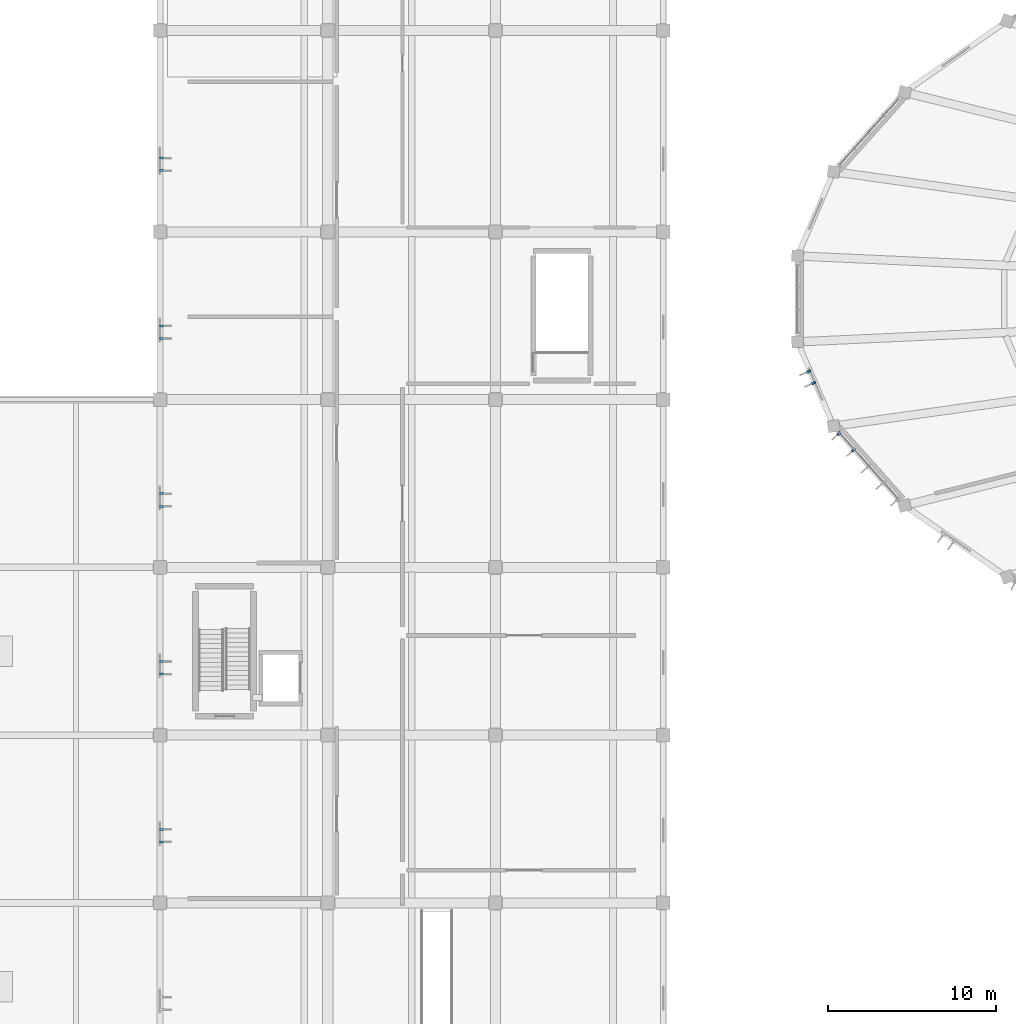
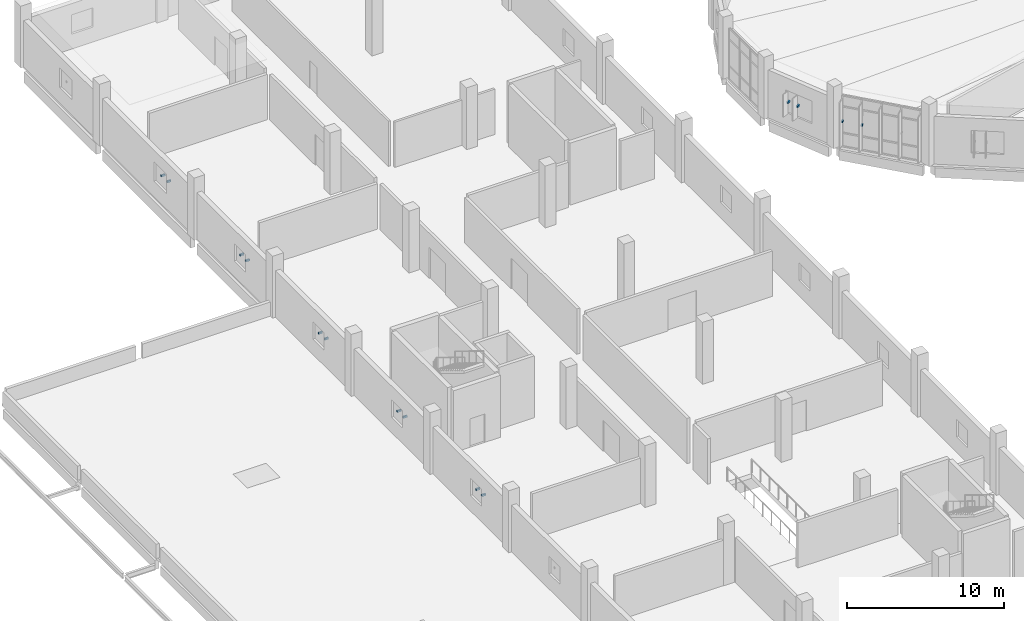
# One storey, part 138 of 179: 14 discrete accessories.
"""IFC4 building model written with IfcOpenShell, lengths in metres."""

from ifc_helpers import new_model, si_unit, direction, frame, origin, origin_2d, place, context, subcontext, project, spatial, rectangle, extrude, material, type_object, element, save


model = new_model("IFC4")

# Units and contexts
model_context = context("Model", 3, precision=1e-05, world=origin(), true_north=direction((0.0, 1.0)))
body_context = subcontext(model_context, "Body", "Model", "MODEL_VIEW")
ifc_project = project(units=[si_unit("LENGTHUNIT", "METRE"), si_unit("AREAUNIT", "SQUARE_METRE"), si_unit("VOLUMEUNIT", "CUBIC_METRE"), si_unit("PLANEANGLEUNIT", "RADIAN"), si_unit("MASSUNIT", "GRAM", prefix="KILO")], contexts=[model_context])

# Site, building, storey
site_placement = place(None, origin())
site = spatial("IfcSite", under=ifc_project, at=site_placement, CompositionType="ELEMENT")
building_placement = place(site_placement, origin())
building = spatial("IfcBuilding", under=site, at=building_placement, Name="Corvandel Quay Wholesale Market", CompositionType="ELEMENT")
storey_placement = place(building_placement, frame((0.0, 0.0, 6.0)))
storey = spatial("IfcBuildingStorey", under=building, at=storey_placement, Name="L01", CompositionType="ELEMENT", Elevation=6.0)

# Discrete accessories
ifc_material = material(Name="Austenitic stainless steel Grade 316", Category="steel")
discrete_accessory_type = type_object("IfcDiscreteAccessoryType", Name="Stainless Solar Fin Fixing Bracket BRK01", PredefinedType="USERDEFINED", material=ifc_material)
for number, where, z_axis, x_axis, name in (
    (1, (58.649169921875, 111.669677734375, 1.80517578125), (0.0, 0.0, 1.0), (0.919204081089, 0.393781484212, 0.0), "Fin Bracket 0436"),
    (2, (58.944580078125, 110.980224609375, 1.80517578125), (0.0, 0.0, 1.0), (0.919204081089, 0.393781484212, 0.0), "Fin Bracket 0437"),
):
    element("IfcDiscreteAccessory", number, at=place(storey_placement, frame(where, z_axis=z_axis, x_axis=x_axis)), inside=storey, type_object=discrete_accessory_type, Name=name, ObjectType="BRACKET", PredefinedType="USERDEFINED", context=body_context, shape_type="SweptSolid", body=[
        extrude(rectangle(XDim=0.280029296875, YDim=0.1201171875, at=origin_2d()), origin(), (0.0, 0.0, 1.0), 0.139892578125),
    ])
for number, where, z_axis, x_axis, name in (
    (3, (60.466552734375, 107.97314453125, 1.9052734375), (0.0, 0.0, 1.0), (0.746289766155, 0.665621202286, 0.0), "Fin Bracket 0441"),
    (4, (61.34228515625, 106.99169921875, 1.9052734375), (0.0, 0.0, 1.0), (0.746289766155, 0.665621202286, 0.0), "Fin Bracket 0442"),
):
    element("IfcDiscreteAccessory", number, at=place(storey_placement, frame(where, z_axis=z_axis, x_axis=x_axis)), inside=storey, type_object=discrete_accessory_type, Name=name, ObjectType="BRACKET", PredefinedType="USERDEFINED", context=body_context, shape_type="SweptSolid", body=[
        extrude(rectangle(XDim=0.239990234375, YDim=0.1201171875, at=origin_2d()), origin(), (0.0, 0.0, 1.0), 0.139892578125),
    ])
for number, where, z_axis, x_axis, name in (
    (5, (20.10009765625, 83.639892578125, 1.80517578125), (0.0, 0.0, 1.0), (1.0, 0.0, 0.0), "Fin Bracket 0716"),
    (6, (20.10009765625, 84.389892578125, 1.80517578125), (0.0, 0.0, 1.0), (1.0, 0.0, 0.0), "Fin Bracket 0717"),
    (7, (20.10009765625, 93.639892578125, 1.80517578125), (0.0, 0.0, 1.0), (1.0, 0.0, 0.0), "Fin Bracket 0721"),
    (8, (20.10009765625, 94.389892578125, 1.80517578125), (0.0, 0.0, 1.0), (1.0, 0.0, 0.0), "Fin Bracket 0722"),
    (9, (20.10009765625, 103.639892578125, 1.80517578125), (0.0, 0.0, 1.0), (1.0, 0.0, 0.0), "Fin Bracket 0726"),
    (10, (20.10009765625, 104.389892578125, 1.80517578125), (0.0, 0.0, 1.0), (1.0, 0.0, 0.0), "Fin Bracket 0727"),
    (11, (20.10009765625, 113.639892578125, 1.80517578125), (0.0, 0.0, 1.0), (1.0, 0.0, 0.0), "Fin Bracket 0731"),
    (12, (20.10009765625, 114.389892578125, 1.80517578125), (0.0, 0.0, 1.0), (1.0, 0.0, 0.0), "Fin Bracket 0732"),
    (13, (20.10009765625, 123.639892578125, 1.8798828125), (0.0, 0.0, 1.0), (1.0, 0.0, 0.0), "Fin Bracket 0736"),
    (14, (20.10009765625, 124.389892578125, 1.8798828125), (0.0, 0.0, 1.0), (1.0, 0.0, 0.0), "Fin Bracket 0737"),
):
    element("IfcDiscreteAccessory", number, at=place(storey_placement, frame(where, z_axis=z_axis, x_axis=x_axis)), inside=storey, type_object=discrete_accessory_type, Name=name, ObjectType="BRACKET", PredefinedType="USERDEFINED", context=body_context, shape_type="SweptSolid", body=[
        extrude(rectangle(XDim=0.280029296875, YDim=0.1201171875, at=origin_2d()), origin(), (0.0, 0.0, 1.0), 0.139892578125),
    ])

save(model, "model.ifc")
